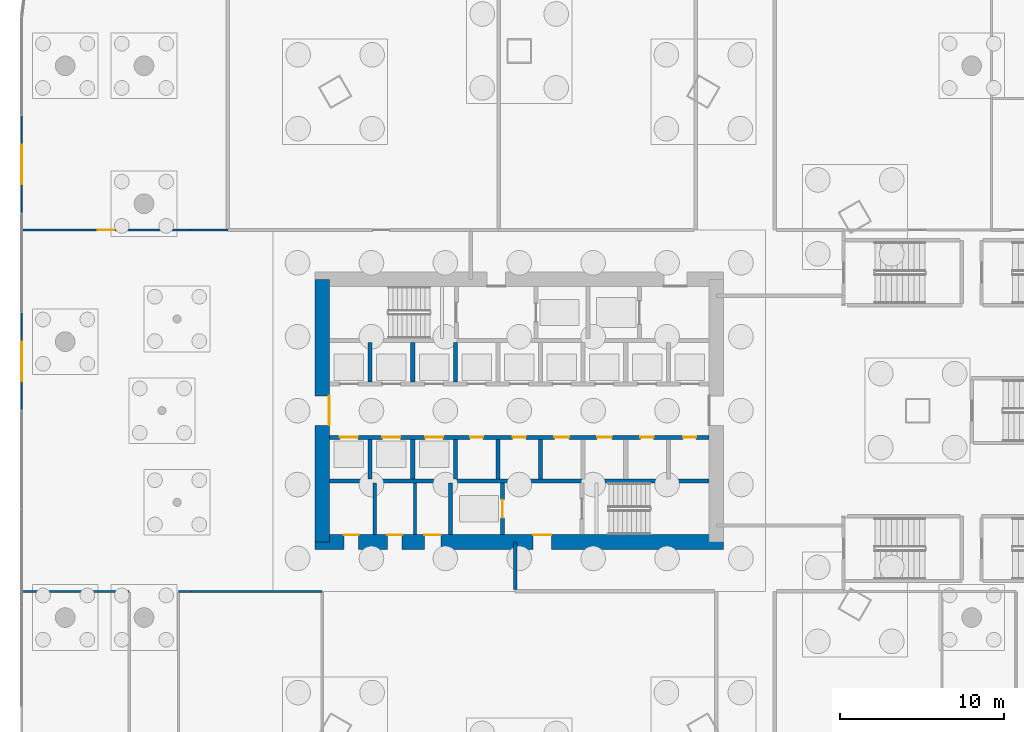
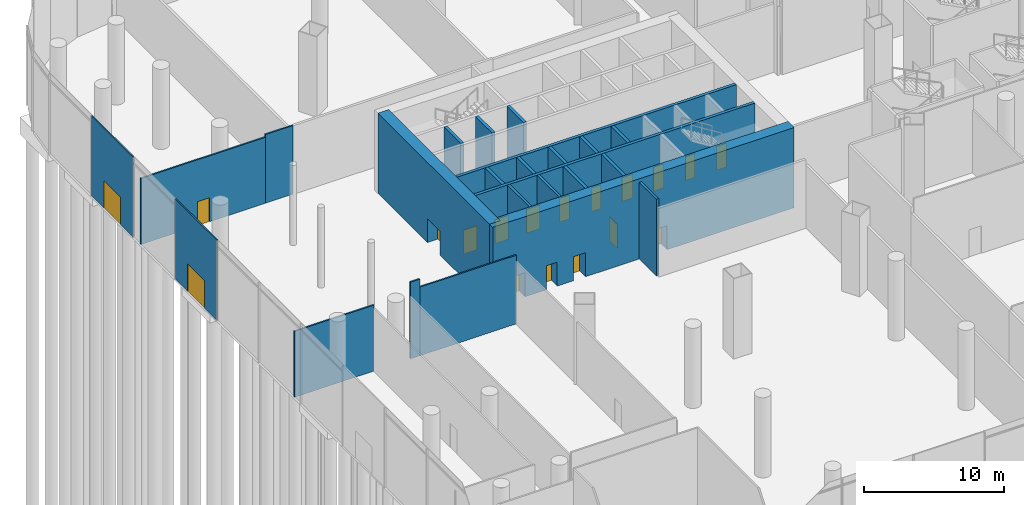
# One storey, part 25 of 41: 24 walls, 18 doors, 18 openings.
"""IFC4 building model written with IfcOpenShell, lengths in metres."""

import ifcopenshell
import ifcopenshell.guid

model = None  # the IFC model being written
_history = None  # IfcOwnerHistory: only IFC2X3 demands one
_inside = {}  # id of a spatial element -> (the spatial element, [elements in it])
_under = {}  # id of a project, library or spatial element -> (it, [spatial elements below it])
_declared = {}  # id of a project -> (the project, [libraries it declares])
_typed = {}  # id of a type object -> (the type object, [elements of that type])
_made_of = {}  # id of a material, layer set ... -> (it, [elements and type objects made of it])


def new_model(schema):
    """Start an empty IFC model of exactly this schema.

    Asked for "IFC4X3", IfcOpenShell would pick the latest addendum, in which some entities
    have other attributes; the version numbers below select the first issue.
    IFC2X3 requires an IfcOwnerHistory on every rooted entity: one is made here for all.
    """
    global model, _history
    if schema == "IFC4X3":
        model = ifcopenshell.file(schema_version=(4, 3, 0, 0))
    else:
        model = ifcopenshell.file(schema=schema)
    _inside.clear()
    _under.clear()
    _declared.clear()
    _typed.clear()
    _made_of.clear()
    _history = None
    if model.schema == "IFC2X3":
        org = make("IfcOrganization", Name="unknown")
        user = make(
            "IfcPersonAndOrganization",
            ThePerson=make("IfcPerson", FamilyName="unknown"),
            TheOrganization=org,
        )
        app = make(
            "IfcApplication",
            ApplicationDeveloper=org,
            Version="unknown",
            ApplicationFullName="unknown",
            ApplicationIdentifier="unknown",
        )
        _history = make(
            "IfcOwnerHistory",
            OwningUser=user,
            OwningApplication=app,
            ChangeAction="ADDED",
            CreationDate=0,
        )
    return model


def make(cls, **values):
    """One entity of the class cls with the attributes given. An attribute that is None is left unset."""
    return model.create_entity(
        cls, **{name: value for name, value in values.items() if value is not None}
    )


def rooted(cls, **values):
    """An entity with a GlobalId (a new one), such as an element, a storey or a relation."""
    return make(cls, GlobalId=ifcopenshell.guid.new(), OwnerHistory=_history, **values)


def si_unit(unit_type, name, prefix=None):
    """IfcSIUnit, for example si_unit("LENGTHUNIT", "METRE", prefix="MILLI")."""
    return make("IfcSIUnit", UnitType=unit_type, Prefix=prefix, Name=name)


def assignment(units):
    """IfcUnitAssignment: the units of a project."""
    return None if units is None else make("IfcUnitAssignment", Units=units)


def point(xyz):
    """IfcCartesianPoint."""
    return None if xyz is None else make("IfcCartesianPoint", Coordinates=xyz)


def direction(xyz):
    """IfcDirection."""
    return None if xyz is None else make("IfcDirection", DirectionRatios=xyz)


def frame(location, z_axis=None, x_axis=None):
    """IfcAxis2Placement3D, a coordinate frame: its origin and axes. An axis left out is left unset."""
    return make(
        "IfcAxis2Placement3D",
        Location=point(location),
        Axis=direction(z_axis),
        RefDirection=direction(x_axis),
    )


def frame_2d(location, x_axis=None):
    """IfcAxis2Placement2D, a coordinate frame in the plane: its origin and x axis."""
    return make(
        "IfcAxis2Placement2D", Location=point(location), RefDirection=direction(x_axis)
    )


def origin():
    """The frame at (0, 0, 0) with its axes left unset."""
    return frame((0.0, 0.0, 0.0))


def place(relative_to, where):
    """IfcLocalPlacement: puts the frame where relative to a parent placement (None: the world)."""
    return make(
        "IfcLocalPlacement", PlacementRelTo=relative_to, RelativePlacement=where
    )


def context(
    kind, dimensions, precision=None, world=None, true_north=None, identifier=None
):
    """IfcGeometricRepresentationContext, for example the 3D "Model" context."""
    return make(
        "IfcGeometricRepresentationContext",
        ContextIdentifier=identifier,
        ContextType=kind,
        CoordinateSpaceDimension=dimensions,
        Precision=precision,
        WorldCoordinateSystem=world,
        TrueNorth=true_north,
    )


def subcontext(parent, identifier, kind, view, scale=None):
    """IfcGeometricRepresentationSubContext, for example "Body" below "Model"."""
    return make(
        "IfcGeometricRepresentationSubContext",
        ContextIdentifier=identifier,
        ContextType=kind,
        ParentContext=parent,
        TargetScale=scale,
        TargetView=view,
    )


def project(units=None, contexts=None):
    """IfcProject with its units and contexts."""
    return rooted(
        "IfcProject",
        Name="project",
        RepresentationContexts=contexts,
        UnitsInContext=assignment(units),
    )


def spatial(cls, under=None, at=None, **own):
    """A site, building, storey or space (cls), placed at a placement, below another one or the project."""
    s = rooted(cls, ObjectPlacement=at, **own)
    if under is not None:
        _under.setdefault(under.id(), (under, []))[1].append(s)
    return s


def profile(cls, at=None, kind="AREA", **sizes):
    """A parametric profile (cls). Its sizes go by their IFC names, for example OverallWidth=200.0."""
    return make(cls, ProfileType=kind, Position=at, **sizes)


def rectangle(**sizes):
    """IfcRectangleProfileDef."""
    return profile("IfcRectangleProfileDef", **sizes)


def extrude(swept, where, along, depth):
    """IfcExtrudedAreaSolid: the profile swept, set in the frame where, extruded along a direction by depth."""
    return make(
        "IfcExtrudedAreaSolid",
        SweptArea=swept,
        Position=where,
        ExtrudedDirection=direction(along),
        Depth=depth,
    )


def shape(context_of_items, identifier, shape_type, items):
    """IfcShapeRepresentation: the items that make up one representation, for example the "Body"."""
    return make(
        "IfcShapeRepresentation",
        ContextOfItems=context_of_items,
        RepresentationIdentifier=identifier,
        RepresentationType=shape_type,
        Items=items,
    )


def material(Name=None, Category=None):
    """IfcMaterial."""
    return make("IfcMaterial", Name=Name, Category=Category)


def layer(
    of_material, thickness, ventilated=None, Name=None, Category=None, Priority=None
):
    """IfcMaterialLayer: one layer of a wall or slab, of a material (None: an air gap)."""
    return make(
        "IfcMaterialLayer",
        Material=of_material,
        LayerThickness=thickness,
        IsVentilated=ventilated,
        Name=Name,
        Category=Category,
        Priority=Priority,
    )


def layer_set(layers, Name=None):
    """IfcMaterialLayerSet."""
    return make("IfcMaterialLayerSet", MaterialLayers=layers, LayerSetName=Name)


def made_of(thing, what):
    """Note that an element or type object is made of a material, layer set ...; save() writes the relation."""
    if what is not None:
        _made_of.setdefault(what.id(), (what, []))[1].append(thing)
    return thing


def type_object(cls, material=None, **own):
    """A type object (cls), such as IfcWallType, which elements share."""
    return made_of(rooted(cls, **own), material)


def element(
    cls,
    number,
    at=None,
    inside=None,
    cuts=None,
    type_object=None,
    material=None,
    context=None,
    identifier="Body",
    shape_type=None,
    held_by="IfcProductDefinitionShape",
    body=None,
    shapes=None,
    **own,
):
    """One element of the class cls, such as IfcWall. Its Tag is "e" and its number.

    at: its placement. inside: the storey or other place that contains it. cuts: it is an
    opening in that element (IfcRelVoidsElement). A single representation is given by context,
    identifier, shape_type and body (its items); several are given by shapes. held_by: the class
    of the entity that holds the representations. save() writes the other relations.
    """
    e = rooted(cls, Tag="e%d" % number, ObjectPlacement=at, **own)
    if body is not None:
        shapes = [shape(context, identifier, shape_type, body)]
    if shapes is not None:
        e.Representation = make(held_by, Representations=shapes)
    if inside is not None:
        _inside.setdefault(inside.id(), (inside, []))[1].append(e)
    if cuts is not None:
        rooted(
            "IfcRelVoidsElement", RelatingBuildingElement=cuts, RelatedOpeningElement=e
        )
    if type_object is not None:
        _typed.setdefault(type_object.id(), (type_object, []))[1].append(e)
    return made_of(e, material)


def fill(opening, filler):
    """IfcRelFillsElement: the door or window that sits in an opening."""
    return rooted(
        "IfcRelFillsElement",
        RelatingOpeningElement=opening,
        RelatedBuildingElement=filler,
    )


def aggregate(whole, parts):
    """IfcRelAggregates: a whole, such as a stair, and the parts it consists of."""
    return rooted("IfcRelAggregates", RelatingObject=whole, RelatedObjects=parts)


def save(model, path):
    """Write the relations noted so far, then the file.

    IfcRelAggregates (storeys below a building ...), IfcRelContainedInSpatialStructure (elements
    in a storey), IfcRelDefinesByType, IfcRelAssociatesMaterial and IfcRelDeclares: one each for
    every whole, place, type object, material and project.
    """
    for whole, parts in _under.values():
        aggregate(whole, parts)
    for where, things in _inside.values():
        rooted(
            "IfcRelContainedInSpatialStructure",
            RelatedElements=things,
            RelatingStructure=where,
        )
    for kind, things in _typed.values():
        rooted("IfcRelDefinesByType", RelatedObjects=things, RelatingType=kind)
    for what, things in _made_of.values():
        rooted("IfcRelAssociatesMaterial", RelatedObjects=things, RelatingMaterial=what)
    for by, libraries in _declared.values():
        rooted("IfcRelDeclares", RelatingContext=by, RelatedDefinitions=libraries)
    model.write(path)


model = new_model("IFC4")

# Units and contexts
model_context = context("Model", 3, precision=1e-05, world=origin(), true_north=direction((0.0, 1.0)))
body_context = subcontext(model_context, "Body", "Model", "MODEL_VIEW")
ifc_project = project(units=[si_unit("LENGTHUNIT", "METRE"), si_unit("AREAUNIT", "SQUARE_METRE"), si_unit("VOLUMEUNIT", "CUBIC_METRE"), si_unit("PLANEANGLEUNIT", "RADIAN"), si_unit("MASSUNIT", "GRAM", prefix="KILO")], contexts=[model_context])

# Site, building, storey
site_placement = place(None, origin())
site = spatial("IfcSite", under=ifc_project, at=site_placement, CompositionType="ELEMENT")
building_placement = place(site_placement, origin())
building = spatial("IfcBuilding", under=site, at=building_placement, Name="Rimbun Link Towers", CompositionType="ELEMENT")
storey_placement = place(building_placement, origin())
storey = spatial("IfcBuildingStorey", under=building, at=storey_placement, Name="L00", CompositionType="ELEMENT", Elevation=0.0)

# Walls
ifc_material_1 = material(Name="Masonry blockwork", Category="masonry")
ifc_layer_1 = layer(ifc_material_1, 0.199951171875)
ifc_layer_set_1 = layer_set([ifc_layer_1], Name="Core partition 200")
wall_type_1 = type_object("IfcWallType", Name="Core partition 200", PredefinedType="PARTITIONING", material=ifc_layer_set_1)
for number, where, z_axis, x_axis, name in (
    (1, (-40.550048828125, -4.39990234375, 0.0), (0.0, 0.0, 1.0), (0.0, -1.0, 0.0), "L00 T1 core wall C1"),
    (2, (-38.10009765625, -4.39990234375, 0.0), (0.0, 0.0, 1.0), (0.0, -1.0, 0.0), "L00 T1 core wall C2"),
):
    element("IfcWall", number, at=place(storey_placement, frame(where, z_axis=z_axis, x_axis=x_axis)), inside=storey, type_object=wall_type_1, Name=name, PredefinedType="PARTITIONING", context=body_context, shape_type="SweptSolid", body=[
        extrude(rectangle(XDim=3.150146484375, YDim=0.199951171875, at=frame_2d((1.5751953125, 0.0))), origin(), (0.0, 0.0, 1.0), 7.0),
    ])

# Wall, openings, doors
ifc_material_2 = material(Name="Concrete C60/75", Category="concrete")
ifc_layer_2 = layer(ifc_material_2, 0.89990234375)
ifc_layer_set_2 = layer_set([ifc_layer_2], Name="Core shear wall 900")
wall_type_2 = type_object("IfcWallType", Name="Core shear wall 900", PredefinedType="SHEAR", material=ifc_layer_set_2)
wall_1_placement = place(storey_placement, frame((-44.199951171875, -8.0, 0.0), z_axis=(0.0, 0.0, 1.0), x_axis=(1.0, 0.0, 0.0)))
wall_1 = element("IfcWall", 3, at=wall_1_placement, inside=storey, type_object=wall_type_2, Name="L00 T1 core wall S", PredefinedType="SHEAR", context=body_context, shape_type="SweptSolid", body=[
    extrude(rectangle(XDim=24.89990234375, YDim=0.89990234375, at=frame_2d((12.449951171875, 0.0))), origin(), (0.0, 0.0, 1.0), 7.0),
])
opening_1_placement = place(wall_1_placement, frame((13.300048828125, 0.0, 0.0)))
opening_1 = element("IfcOpeningElement", 4, at=opening_1_placement, cuts=wall_1, Name="Opening C1DCF01S", PredefinedType="OPENING", context=body_context, shape_type="SweptSolid", body=[
    extrude(rectangle(XDim=1.10009765625, YDim=2.10009765625, at=frame_2d((0.550048828125, 1.050048828125))), frame((0.0, 0.4599609375, 0.0), z_axis=(0.0, -1.0, 0.0), x_axis=(1.0, 0.0, 0.0)), (0.0, 0.0, 1.0), 0.919921875),
])
opening_2_placement = place(wall_1_placement, frame((1.77490234375, 0.0, 0.0)))
opening_2 = element("IfcOpeningElement", 5, at=opening_2_placement, cuts=wall_1, Name="Opening C1DWC02S", PredefinedType="OPENING", context=body_context, shape_type="SweptSolid", body=[
    extrude(rectangle(XDim=0.89990234375, YDim=2.10009765625, at=frame_2d((0.449951171875, 1.050048828125))), frame((0.0, 0.4599609375, 0.0), z_axis=(0.0, -1.0, 0.0), x_axis=(1.0, 0.0, 0.0)), (0.0, 0.0, 1.0), 0.919921875),
])
opening_3_placement = place(wall_1_placement, frame((4.425048828125, 0.0, 0.0)))
opening_3 = element("IfcOpeningElement", 6, at=opening_3_placement, cuts=wall_1, Name="Opening C1DWC03S", PredefinedType="OPENING", context=body_context, shape_type="SweptSolid", body=[
    extrude(rectangle(XDim=0.89990234375, YDim=2.10009765625, at=frame_2d((0.449951171875, 1.050048828125))), frame((0.0, 0.4599609375, 0.0), z_axis=(0.0, -1.0, 0.0), x_axis=(1.0, 0.0, 0.0)), (0.0, 0.0, 1.0), 0.919921875),
])
opening_4_placement = place(wall_1_placement, frame((6.675048828125, 0.0, 0.0)))
opening_4 = element("IfcOpeningElement", 7, at=opening_4_placement, cuts=wall_1, Name="Opening C1DAW04S", PredefinedType="OPENING", context=body_context, shape_type="SweptSolid", body=[
    extrude(rectangle(XDim=1.0, YDim=2.10009765625, at=frame_2d((0.5, 1.050048828125))), frame((0.0, 0.4599609375, 0.0), z_axis=(0.0, -1.0, 0.0), x_axis=(1.0, 0.0, 0.0)), (0.0, 0.0, 1.0), 0.919921875),
])
ifc_material_3 = material(Name="Timber", Category="wood")
door_type_1 = type_object("IfcDoorType", Name="Accessible WC door", OperationType="SINGLE_SWING_LEFT", PredefinedType="DOOR", material=ifc_material_3)
door_1_placement = place(opening_4_placement, origin())
door_1 = element("IfcDoor", 8, at=door_1_placement, inside=storey, type_object=door_type_1, Name="L00 T1 accessible wc door", OperationType="SINGLE_SWING_RIGHT", OverallHeight=2.10009765625, OverallWidth=1.0, PredefinedType="DOOR", context=body_context, shape_type="SweptSolid", body=[
    extrude(rectangle(XDim=1.0, YDim=2.10009765625, at=frame_2d((0.5, 1.050048828125))), frame((0.0, 0.4501953125, 0.0), z_axis=(0.0, -1.0, 0.0), x_axis=(1.0, 0.0, 0.0)), (0.0, 0.0, 1.0), 0.050048828125),
])
fill(opening_4, door_1)
ifc_material_4 = material(Name="Steel fire door set", Category="steel")
door_type_2 = type_object("IfcDoorType", Name="Core fire door single", OperationType="SINGLE_SWING_LEFT", PredefinedType="DOOR", material=ifc_material_4)
door_2_placement = place(opening_1_placement, origin())
door_2 = element("IfcDoor", 9, at=door_2_placement, inside=storey, type_object=door_type_2, Name="L00 T1 firefighting lobby s door", OperationType="SINGLE_SWING_RIGHT", OverallHeight=2.10009765625, OverallWidth=1.10009765625, PredefinedType="DOOR", context=body_context, shape_type="SweptSolid", body=[
    extrude(rectangle(XDim=1.10009765625, YDim=2.10009765625, at=frame_2d((0.550048828125, 1.050048828125))), frame((0.0, 0.4501953125, 0.0), z_axis=(0.0, -1.0, 0.0), x_axis=(1.0, 0.0, 0.0)), (0.0, 0.0, 1.0), 0.050048828125),
])
fill(opening_1, door_2)
ifc_material_5 = material(Name="Timber", Category="wood")
door_type_3 = type_object("IfcDoorType", Name="WC door", OperationType="SINGLE_SWING_LEFT", PredefinedType="DOOR", material=ifc_material_5)
door_3_placement = place(opening_2_placement, origin())
door_3 = element("IfcDoor", 10, at=door_3_placement, inside=storey, type_object=door_type_3, Name="L00 T1 male wc door", OperationType="SINGLE_SWING_RIGHT", OverallHeight=2.10009765625, OverallWidth=0.89990234375, PredefinedType="DOOR", context=body_context, shape_type="SweptSolid", body=[
    extrude(rectangle(XDim=0.89990234375, YDim=2.10009765625, at=frame_2d((0.449951171875, 1.050048828125))), frame((0.0, 0.4501953125, 0.0), z_axis=(0.0, -1.0, 0.0), x_axis=(1.0, 0.0, 0.0)), (0.0, 0.0, 1.0), 0.050048828125),
])
fill(opening_2, door_3)
door_4_placement = place(opening_3_placement, origin())
door_4 = element("IfcDoor", 11, at=door_4_placement, inside=storey, type_object=door_type_3, Name="L00 T1 female wc door", OperationType="SINGLE_SWING_LEFT", OverallHeight=2.10009765625, OverallWidth=0.89990234375, PredefinedType="DOOR", context=body_context, shape_type="SweptSolid", body=[
    extrude(rectangle(XDim=0.89990234375, YDim=2.10009765625, at=frame_2d((0.449951171875, 1.050048828125))), frame((0.0, 0.4501953125, 0.0), z_axis=(0.0, -1.0, 0.0), x_axis=(1.0, 0.0, 0.0)), (0.0, 0.0, 1.0), 0.050048828125),
])
fill(opening_3, door_4)

# Wall, opening, door
wall_2_placement = place(storey_placement, frame((-43.75, -8.0, 0.0), z_axis=(0.0, 0.0, 1.0), x_axis=(0.0, 1.0, 0.0)))
wall_2 = element("IfcWall", 12, at=wall_2_placement, inside=storey, type_object=wall_type_2, Name="L00 T1 core wall W", PredefinedType="SHEAR", context=body_context, shape_type="SweptSolid", body=[
    extrude(rectangle(XDim=16.0, YDim=0.89990234375, at=frame_2d((8.0, 0.0))), origin(), (0.0, 0.0, 1.0), 7.0),
])
opening_5_placement = place(wall_2_placement, frame((7.10009765625, 0.0, 0.0)))
opening_5 = element("IfcOpeningElement", 13, at=opening_5_placement, cuts=wall_2, Name="Opening C1DCL01W", PredefinedType="OPENING", context=body_context, shape_type="SweptSolid", body=[
    extrude(rectangle(XDim=1.800048828125, YDim=2.10009765625, at=frame_2d((0.89990234375, 1.050048828125))), frame((0.0, 0.4599609375, 0.0), z_axis=(0.0, -1.0, 0.0), x_axis=(1.0, 0.0, 0.0)), (0.0, 0.0, 1.0), 0.919921875),
])
ifc_material_6 = material(Name="Steel fire door set", Category="steel")
door_type_4 = type_object("IfcDoorType", Name="Core lobby door double", OperationType="DOUBLE_DOOR_SINGLE_SWING", PredefinedType="DOOR", material=ifc_material_6)
door_5_placement = place(opening_5_placement, origin())
door_5 = element("IfcDoor", 14, at=door_5_placement, inside=storey, type_object=door_type_4, Name="L00 T1 lift lobby door", OperationType="DOUBLE_DOOR_SINGLE_SWING", OverallHeight=2.10009765625, OverallWidth=1.800048828125, PredefinedType="DOOR", context=body_context, shape_type="SweptSolid", body=[
    extrude(rectangle(XDim=1.800048828125, YDim=2.10009765625, at=frame_2d((0.89990234375, 1.050048828125))), frame((0.0, -0.39990234375, 0.0), z_axis=(0.0, -1.0, 0.0), x_axis=(1.0, 0.0, 0.0)), (0.0, 0.0, 1.0), 0.050048828125),
])
fill(opening_5, door_5)

ifc_material_7 = material(Name="Aluminium framed insulated infill panel", Category="aluminium")
ifc_layer_3 = layer(ifc_material_7, 0.10009765625)
ifc_layer_set_3 = layer_set([ifc_layer_3], Name="ED framed infill wall 100")
wall_type_3 = type_object("IfcWallType", Name="ED framed infill wall 100", PredefinedType="STANDARD", material=ifc_layer_set_3)
wall_3_placement = place(storey_placement, frame((-62.050048828125, 12.02001953125, 0.0), z_axis=(0.0, 0.0, 1.0), x_axis=(0.0, 1.0, 0.0)))
wall_3 = element("IfcWall", 15, at=wall_3_placement, inside=storey, type_object=wall_type_3, Name="Framed door bay wall", PredefinedType="STANDARD", context=body_context, shape_type="SweptSolid", body=[
    extrude(rectangle(XDim=5.9599609375, YDim=0.10009765625, at=frame_2d((2.97998046875, 0.0))), origin(), (0.0, 0.0, 1.0), 7.0),
])
opening_6_placement = place(wall_3_placement, frame((1.780029296875, 0.0, 0.0)))
opening_6 = element("IfcOpeningElement", 16, at=opening_6_placement, cuts=wall_3, Name="Opening ED12", PredefinedType="OPENING", context=body_context, shape_type="SweptSolid", body=[
    extrude(rectangle(XDim=2.39990234375, YDim=2.39990234375, at=frame_2d((1.199951171875, 1.199951171875))), frame((0.0, 0.06005859375, 0.0), z_axis=(0.0, -1.0, 0.0), x_axis=(1.0, 0.0, 0.0)), (0.0, 0.0, 1.0), 0.1201171875),
])
ifc_material_8 = material(Name="Aluminium framed glazed door, low-iron glass", Category="aluminium")
door_type_5 = type_object("IfcDoorType", Name="ED entrance door double leaf 2400X2400", OperationType="DOUBLE_DOOR_SINGLE_SWING", PredefinedType="DOOR", material=ifc_material_8)
door_6_placement = place(opening_6_placement, origin())
door_6 = element("IfcDoor", 17, at=door_6_placement, inside=storey, type_object=door_type_5, Name="Entrance door", OperationType="SINGLE_SWING_LEFT", OverallHeight=2.39990234375, OverallWidth=2.39990234375, PredefinedType="DOOR", context=body_context, shape_type="SweptSolid", body=[
    extrude(rectangle(XDim=2.39990234375, YDim=2.39990234375, at=frame_2d((1.199951171875, 1.199951171875))), frame((0.0, 0.02490234375, 0.0), z_axis=(0.0, -1.0, 0.0), x_axis=(1.0, 0.0, 0.0)), (0.0, 0.0, 1.0), 0.050048828125),
])
fill(opening_6, door_6)

wall_4_placement = place(storey_placement, frame((-62.050048828125, 0.02001953125, 0.0), z_axis=(0.0, 0.0, 1.0), x_axis=(0.0, 1.0, 0.0)))
wall_4 = element("IfcWall", 18, at=wall_4_placement, inside=storey, type_object=wall_type_3, Name="Framed door bay wall", PredefinedType="STANDARD", context=body_context, shape_type="SweptSolid", body=[
    extrude(rectangle(XDim=5.9599609375, YDim=0.10009765625, at=frame_2d((2.97998046875, 0.0))), origin(), (0.0, 0.0, 1.0), 7.0),
])
opening_7_placement = place(wall_4_placement, frame((1.780029296875, 0.0, 0.0)))
opening_7 = element("IfcOpeningElement", 19, at=opening_7_placement, cuts=wall_4, Name="Opening ED13", PredefinedType="OPENING", context=body_context, shape_type="SweptSolid", body=[
    extrude(rectangle(XDim=2.39990234375, YDim=2.39990234375, at=frame_2d((1.199951171875, 1.199951171875))), frame((0.0, 0.06005859375, 0.0), z_axis=(0.0, -1.0, 0.0), x_axis=(1.0, 0.0, 0.0)), (0.0, 0.0, 1.0), 0.1201171875),
])
door_7_placement = place(opening_7_placement, origin())
door_7 = element("IfcDoor", 20, at=door_7_placement, inside=storey, type_object=door_type_5, Name="Entrance door", OperationType="SINGLE_SWING_LEFT", OverallHeight=2.39990234375, OverallWidth=2.39990234375, PredefinedType="DOOR", context=body_context, shape_type="SweptSolid", body=[
    extrude(rectangle(XDim=2.39990234375, YDim=2.39990234375, at=frame_2d((1.199951171875, 1.199951171875))), frame((0.0, 0.02490234375, 0.0), z_axis=(0.0, -1.0, 0.0), x_axis=(1.0, 0.0, 0.0)), (0.0, 0.0, 1.0), 0.050048828125),
])
fill(opening_7, door_7)

# Walls
ifc_material_9 = material(Name="Concrete blockwork", Category="masonry")
ifc_layer_4 = layer(ifc_material_9, 0.199951171875)
ifc_layer_set_4 = layer_set([ifc_layer_4], Name="Fire partition 200 blockwork")
wall_type_4 = type_object("IfcWallType", Name="Fire partition 200 blockwork", PredefinedType="PARTITIONING", material=ifc_layer_set_4)
wall_5_placement = place(storey_placement, frame((-32.0, -8.0, 0.0), z_axis=(0.0, 0.0, 1.0), x_axis=(0.0, -1.0, 0.0)))
element("IfcWall", 21, at=wall_5_placement, inside=storey, type_object=wall_type_4, Name="PD/PW/L00/027", PredefinedType="PARTITIONING", context=body_context, shape_type="SweptSolid", body=[
    extrude(rectangle(XDim=2.89990234375, YDim=0.199951171875, at=frame_2d((1.449951171875, 0.0))), origin(), (0.0, 0.0, 1.0), 6.699951171875),
])
ifc_material_10 = material(Name="Gypsum board on steel studs", Category="steel")
ifc_layer_5 = layer(ifc_material_10, 0.125)
ifc_layer_set_5 = layer_set([ifc_layer_5], Name="Partition 125 board on studs")
wall_type_5 = type_object("IfcWallType", Name="Partition 125 board on studs", PredefinedType="PARTITIONING", material=ifc_layer_set_5)
wall_6_placement = place(storey_placement, frame((-51.77001953125, -11.0, 0.0), z_axis=(0.0, 0.0, 1.0), x_axis=(1.0, 0.0, 0.0)))
element("IfcWall", 22, at=wall_6_placement, inside=storey, type_object=wall_type_5, Name="PD/PW/L00/057", PredefinedType="PARTITIONING", context=body_context, shape_type="SweptSolid", body=[
    extrude(rectangle(XDim=8.02001953125, YDim=0.125, at=frame_2d((4.010009765625, 0.0))), origin(), (0.0, 0.0, 1.0), 5.99609375),
])
wall_7_placement = place(storey_placement, frame((-49.5, 11.0, 0.0), z_axis=(0.0, 0.0, 1.0), x_axis=(-1.0, 0.0, 0.0)))
element("IfcWall", 23, at=wall_7_placement, inside=storey, type_object=wall_type_5, Name="PD/PW/L00/058", PredefinedType="PARTITIONING", context=body_context, shape_type="SweptSolid", body=[
    extrude(rectangle(XDim=2.27001953125, YDim=0.125, at=frame_2d((1.135009765625, 0.0))), origin(), (0.0, 0.0, 1.0), 5.99609375),
])
wall_8_placement = place(storey_placement, frame((-62.080078125, -11.0, 0.0), z_axis=(0.0, 0.0, 1.0), x_axis=(1.0, 0.0, 0.0)))
element("IfcWall", 24, at=wall_8_placement, inside=storey, type_object=wall_type_5, Name="PD/PW/L00/083", PredefinedType="PARTITIONING", context=body_context, shape_type="SweptSolid", body=[
    extrude(rectangle(XDim=6.580078125, YDim=0.125, at=frame_2d((3.2900390625, 0.0))), origin(), (0.0, 0.0, 1.0), 5.761962890625),
])
wall_9_placement = place(storey_placement, frame((-52.5, -11.0, 0.0), z_axis=(0.0, 0.0, 1.0), x_axis=(1.0, 0.0, 0.0)))
element("IfcWall", 25, at=wall_9_placement, inside=storey, type_object=wall_type_5, Name="PD/PW/L00/084", PredefinedType="PARTITIONING", context=body_context, shape_type="SweptSolid", body=[
    extrude(rectangle(XDim=0.77001953125, YDim=0.125, at=frame_2d((0.385009765625, 0.0))), origin(), (0.0, 0.0, 1.0), 6.699951171875),
])

# Wall, opening, door
wall_10_placement = place(storey_placement, frame((-51.72998046875, 11.0, 0.0), z_axis=(0.0, 0.0, 1.0), x_axis=(-1.0, 0.0, 0.0)))
wall_10 = element("IfcWall", 26, at=wall_10_placement, inside=storey, type_object=wall_type_5, Name="PD/PW/L00/085", PredefinedType="PARTITIONING", context=body_context, shape_type="SweptSolid", body=[
    extrude(rectangle(XDim=10.35009765625, YDim=0.125, at=frame_2d((5.175048828125, 0.0))), origin(), (0.0, 0.0, 1.0), 5.761962890625),
])
opening_8_placement = place(wall_10_placement, frame((4.675048828125, 0.0, 0.0)))
opening_8 = element("IfcOpeningElement", 27, at=opening_8_placement, cuts=wall_10, Name="Opening PD D00.19", PredefinedType="OPENING", context=body_context, shape_type="SweptSolid", body=[
    extrude(rectangle(XDim=1.0, YDim=2.10009765625, at=frame_2d((0.5, 1.050048828125))), frame((0.0, 0.072509765625, 0.0), z_axis=(0.0, -1.0, 0.0), x_axis=(1.0, 0.0, 0.0)), (0.0, 0.0, 1.0), 0.14501953125),
])
ifc_material_11 = material(Name="Timber door set", Category="wood")
door_type_6 = type_object("IfcDoorType", Name="Door single leaf 1000 x 2100", OperationType="NOTDEFINED", PredefinedType="DOOR", material=ifc_material_11)
door_8_placement = place(opening_8_placement, origin())
door_8 = element("IfcDoor", 28, at=door_8_placement, inside=storey, type_object=door_type_6, Name="PD/DR/L00/019", OperationType="SINGLE_SWING_RIGHT", OverallHeight=2.10009765625, OverallWidth=1.0, PredefinedType="DOOR", context=body_context, shape_type="SweptSolid", body=[
    extrude(rectangle(XDim=1.0, YDim=2.10009765625, at=frame_2d((0.5, 1.050048828125))), frame((0.0, 0.02490234375, 0.0), z_axis=(0.0, -1.0, 0.0), x_axis=(1.0, 0.0, 0.0)), (0.0, 0.0, 1.0), 0.050048828125),
])
fill(opening_8, door_8)

# Wall
ifc_material_12 = material(Name="Concrete C60/75", Category="concrete")
ifc_layer_6 = layer(ifc_material_12, 0.25)
ifc_layer_set_6 = layer_set([ifc_layer_6], Name="Shaft wall 250")
wall_type_6 = type_object("IfcWallType", Name="Shaft wall 250", PredefinedType="SHEAR", material=ifc_layer_set_6)
wall_11_placement = place(storey_placement, frame((-43.300048828125, -4.27490234375, 0.0), z_axis=(0.0, 0.0, 1.0), x_axis=(1.0, 0.0, 0.0)))
element("IfcWall", 29, at=wall_11_placement, inside=storey, type_object=wall_type_6, Name="L00 T1 core wall BS", PredefinedType="SHEAR", context=body_context, shape_type="SweptSolid", body=[
    extrude(rectangle(XDim=23.10009765625, YDim=0.25, at=frame_2d((11.550048828125, 0.0))), origin(), (0.0, 0.0, 1.0), 7.0),
])

# Wall, openings, doors
wall_12_placement = place(storey_placement, frame((-43.300048828125, -1.625, 0.0), z_axis=(0.0, 0.0, 1.0), x_axis=(1.0, 0.0, 0.0)))
wall_12 = element("IfcWall", 30, at=wall_12_placement, inside=storey, type_object=wall_type_6, Name="L00 T1 core wall FS", PredefinedType="SHEAR", context=body_context, shape_type="SweptSolid", body=[
    extrude(rectangle(XDim=23.10009765625, YDim=0.25, at=frame_2d((11.550048828125, 0.0))), origin(), (0.0, 0.0, 1.0), 7.0),
])
opening_9_placement = place(wall_12_placement, frame((0.622314453125, 0.0, 0.0)))
opening_9 = element("IfcOpeningElement", 31, at=opening_9_placement, cuts=wall_12, Name="Opening LD-T1-SH4", PredefinedType="OPENING", context=body_context, shape_type="SweptSolid", body=[
    extrude(rectangle(XDim=1.10009765625, YDim=2.10009765625, at=frame_2d((0.550048828125, 1.050048828125))), frame((0.0, 0.135009765625, 0.0), z_axis=(0.0, -1.0, 0.0), x_axis=(1.0, 0.0, 0.0)), (0.0, 0.0, 1.0), 0.27001953125),
])
opening_10_placement = place(wall_12_placement, frame((3.216796875, 0.0, 0.0)))
opening_10 = element("IfcOpeningElement", 32, at=opening_10_placement, cuts=wall_12, Name="Opening LD-T1-OB1", PredefinedType="OPENING", context=body_context, shape_type="SweptSolid", body=[
    extrude(rectangle(XDim=1.10009765625, YDim=2.10009765625, at=frame_2d((0.550048828125, 1.050048828125))), frame((0.0, 0.135009765625, 0.0), z_axis=(0.0, -1.0, 0.0), x_axis=(1.0, 0.0, 0.0)), (0.0, 0.0, 1.0), 0.27001953125),
])
opening_11_placement = place(wall_12_placement, frame((5.81103515625, 0.0, 0.0)))
opening_11 = element("IfcOpeningElement", 33, at=opening_11_placement, cuts=wall_12, Name="Opening LD-T1-OB2", PredefinedType="OPENING", context=body_context, shape_type="SweptSolid", body=[
    extrude(rectangle(XDim=1.10009765625, YDim=2.10009765625, at=frame_2d((0.550048828125, 1.050048828125))), frame((0.0, 0.135009765625, 0.0), z_axis=(0.0, -1.0, 0.0), x_axis=(1.0, 0.0, 0.0)), (0.0, 0.0, 1.0), 0.27001953125),
])
opening_12_placement = place(wall_12_placement, frame((8.5556640625, 0.0, 0.0)))
opening_12 = element("IfcOpeningElement", 34, at=opening_12_placement, cuts=wall_12, Name="Opening C1DRA04FS", PredefinedType="OPENING", context=body_context, shape_type="SweptSolid", body=[
    extrude(rectangle(XDim=0.800048828125, YDim=2.10009765625, at=frame_2d((0.39990234375, 1.050048828125))), frame((0.0, 0.135009765625, 0.0), z_axis=(0.0, -1.0, 0.0), x_axis=(1.0, 0.0, 0.0)), (0.0, 0.0, 1.0), 0.27001953125),
])
opening_13_placement = place(wall_12_placement, frame((11.14990234375, 0.0, 0.0)))
opening_13 = element("IfcOpeningElement", 35, at=opening_13_placement, cuts=wall_12, Name="Opening C1DRA05FS", PredefinedType="OPENING", context=body_context, shape_type="SweptSolid", body=[
    extrude(rectangle(XDim=0.800048828125, YDim=2.10009765625, at=frame_2d((0.39990234375, 1.050048828125))), frame((0.0, 0.135009765625, 0.0), z_axis=(0.0, -1.0, 0.0), x_axis=(1.0, 0.0, 0.0)), (0.0, 0.0, 1.0), 0.27001953125),
])
opening_14_placement = place(wall_12_placement, frame((13.6943359375, 0.0, 0.0)))
opening_14 = element("IfcOpeningElement", 36, at=opening_14_placement, cuts=wall_12, Name="Opening C1DRS06FS", PredefinedType="OPENING", context=body_context, shape_type="SweptSolid", body=[
    extrude(rectangle(XDim=0.89990234375, YDim=2.10009765625, at=frame_2d((0.449951171875, 1.050048828125))), frame((0.0, 0.135009765625, 0.0), z_axis=(0.0, -1.0, 0.0), x_axis=(1.0, 0.0, 0.0)), (0.0, 0.0, 1.0), 0.27001953125),
])
opening_15_placement = place(wall_12_placement, frame((16.288818359375, 0.0, 0.0)))
opening_15 = element("IfcOpeningElement", 37, at=opening_15_placement, cuts=wall_12, Name="Opening C1DRS07FS", PredefinedType="OPENING", context=body_context, shape_type="SweptSolid", body=[
    extrude(rectangle(XDim=0.89990234375, YDim=2.10009765625, at=frame_2d((0.449951171875, 1.050048828125))), frame((0.0, 0.135009765625, 0.0), z_axis=(0.0, -1.0, 0.0), x_axis=(1.0, 0.0, 0.0)), (0.0, 0.0, 1.0), 0.27001953125),
])
opening_16_placement = place(wall_12_placement, frame((18.933349609375, 0.0, 0.0)))
opening_16 = element("IfcOpeningElement", 38, at=opening_16_placement, cuts=wall_12, Name="Opening C1DRA08FS", PredefinedType="OPENING", context=body_context, shape_type="SweptSolid", body=[
    extrude(rectangle(XDim=0.800048828125, YDim=2.10009765625, at=frame_2d((0.39990234375, 1.050048828125))), frame((0.0, 0.135009765625, 0.0), z_axis=(0.0, -1.0, 0.0), x_axis=(1.0, 0.0, 0.0)), (0.0, 0.0, 1.0), 0.27001953125),
])
opening_17_placement = place(wall_12_placement, frame((21.52783203125, 0.0, 0.0)))
opening_17 = element("IfcOpeningElement", 39, at=opening_17_placement, cuts=wall_12, Name="Opening C1DRA09FS", PredefinedType="OPENING", context=body_context, shape_type="SweptSolid", body=[
    extrude(rectangle(XDim=0.800048828125, YDim=2.10009765625, at=frame_2d((0.39990234375, 1.050048828125))), frame((0.0, 0.135009765625, 0.0), z_axis=(0.0, -1.0, 0.0), x_axis=(1.0, 0.0, 0.0)), (0.0, 0.0, 1.0), 0.27001953125),
])
ifc_material_13 = material(Name="Steel fire door set", Category="steel")
door_type_7 = type_object("IfcDoorType", Name="Core riser door", OperationType="SINGLE_SWING_LEFT", PredefinedType="DOOR", material=ifc_material_13)
door_9_placement = place(opening_14_placement, origin())
door_9 = element("IfcDoor", 40, at=door_9_placement, inside=storey, type_object=door_type_7, Name="L00 T1 staff store door", OperationType="SINGLE_SWING_LEFT", OverallHeight=2.10009765625, OverallWidth=0.89990234375, PredefinedType="DOOR", context=body_context, shape_type="SweptSolid", body=[
    extrude(rectangle(XDim=0.89990234375, YDim=2.10009765625, at=frame_2d((0.449951171875, 1.050048828125))), frame((0.0, 0.02490234375, 0.0), z_axis=(0.0, -1.0, 0.0), x_axis=(1.0, 0.0, 0.0)), (0.0, 0.0, 1.0), 0.050048828125),
])
fill(opening_14, door_9)
door_10_placement = place(opening_15_placement, origin())
door_10 = element("IfcDoor", 41, at=door_10_placement, inside=storey, type_object=door_type_7, Name="L00 T1 it cupboard door", OperationType="SINGLE_SWING_LEFT", OverallHeight=2.10009765625, OverallWidth=0.89990234375, PredefinedType="DOOR", context=body_context, shape_type="SweptSolid", body=[
    extrude(rectangle(XDim=0.89990234375, YDim=2.10009765625, at=frame_2d((0.449951171875, 1.050048828125))), frame((0.0, 0.02490234375, 0.0), z_axis=(0.0, -1.0, 0.0), x_axis=(1.0, 0.0, 0.0)), (0.0, 0.0, 1.0), 0.050048828125),
])
fill(opening_15, door_10)
ifc_material_14 = material(Name="Stainless steel grade 316", Category="steel")
door_type_8 = type_object("IfcDoorType", Name="Lift landing door", OperationType="DOUBLE_DOOR_SLIDING", PredefinedType="DOOR", material=ifc_material_14)
door_11_placement = place(opening_9_placement, origin())
door_11 = element("IfcDoor", 42, at=door_11_placement, inside=storey, type_object=door_type_8, Name="L00 T1 lift SH4 landing door", OperationType="DOUBLE_DOOR_SLIDING", OverallHeight=2.10009765625, OverallWidth=1.10009765625, PredefinedType="DOOR", context=body_context, shape_type="SweptSolid", body=[
    extrude(rectangle(XDim=1.10009765625, YDim=2.10009765625, at=frame_2d((0.550048828125, 1.050048828125))), frame((0.0, 0.02490234375, 0.0), z_axis=(0.0, -1.0, 0.0), x_axis=(1.0, 0.0, 0.0)), (0.0, 0.0, 1.0), 0.050048828125),
])
fill(opening_9, door_11)
door_12_placement = place(opening_10_placement, origin())
door_12 = element("IfcDoor", 43, at=door_12_placement, inside=storey, type_object=door_type_8, Name="L00 T1 lift OB1 landing door", OperationType="DOUBLE_DOOR_SLIDING", OverallHeight=2.10009765625, OverallWidth=1.10009765625, PredefinedType="DOOR", context=body_context, shape_type="SweptSolid", body=[
    extrude(rectangle(XDim=1.10009765625, YDim=2.10009765625, at=frame_2d((0.550048828125, 1.050048828125))), frame((0.0, 0.02490234375, 0.0), z_axis=(0.0, -1.0, 0.0), x_axis=(1.0, 0.0, 0.0)), (0.0, 0.0, 1.0), 0.050048828125),
])
fill(opening_10, door_12)
door_13_placement = place(opening_11_placement, origin())
door_13 = element("IfcDoor", 44, at=door_13_placement, inside=storey, type_object=door_type_8, Name="L00 T1 lift OB2 landing door", OperationType="DOUBLE_DOOR_SLIDING", OverallHeight=2.10009765625, OverallWidth=1.10009765625, PredefinedType="DOOR", context=body_context, shape_type="SweptSolid", body=[
    extrude(rectangle(XDim=1.10009765625, YDim=2.10009765625, at=frame_2d((0.550048828125, 1.050048828125))), frame((0.0, 0.02490234375, 0.0), z_axis=(0.0, -1.0, 0.0), x_axis=(1.0, 0.0, 0.0)), (0.0, 0.0, 1.0), 0.050048828125),
])
fill(opening_11, door_13)
ifc_material_15 = material(Name="Steel fire door set", Category="steel")
door_type_9 = type_object("IfcDoorType", Name="Riser access door 800 x 2100", OperationType="SINGLE_SWING_LEFT", PredefinedType="DOOR", material=ifc_material_15)
door_14_placement = place(opening_12_placement, origin())
door_14 = element("IfcDoor", 45, at=door_14_placement, inside=storey, type_object=door_type_9, Name="L00 T1 electrical room door", OperationType="SINGLE_SWING_LEFT", OverallHeight=2.10009765625, OverallWidth=0.800048828125, PredefinedType="DOOR", context=body_context, shape_type="SweptSolid", body=[
    extrude(rectangle(XDim=0.800048828125, YDim=2.10009765625, at=frame_2d((0.39990234375, 1.050048828125))), frame((0.0, 0.02490234375, 0.0), z_axis=(0.0, -1.0, 0.0), x_axis=(1.0, 0.0, 0.0)), (0.0, 0.0, 1.0), 0.050048828125),
])
fill(opening_12, door_14)
door_15_placement = place(opening_13_placement, origin())
door_15 = element("IfcDoor", 46, at=door_15_placement, inside=storey, type_object=door_type_9, Name="L00 T1 riser cupboard door", OperationType="SINGLE_SWING_LEFT", OverallHeight=2.10009765625, OverallWidth=0.800048828125, PredefinedType="DOOR", context=body_context, shape_type="SweptSolid", body=[
    extrude(rectangle(XDim=0.800048828125, YDim=2.10009765625, at=frame_2d((0.39990234375, 1.050048828125))), frame((0.0, 0.02490234375, 0.0), z_axis=(0.0, -1.0, 0.0), x_axis=(1.0, 0.0, 0.0)), (0.0, 0.0, 1.0), 0.050048828125),
])
fill(opening_13, door_15)
door_16_placement = place(opening_16_placement, origin())
door_16 = element("IfcDoor", 47, at=door_16_placement, inside=storey, type_object=door_type_9, Name="L00 T1 electrical room door", OperationType="SINGLE_SWING_RIGHT", OverallHeight=2.10009765625, OverallWidth=0.800048828125, PredefinedType="DOOR", context=body_context, shape_type="SweptSolid", body=[
    extrude(rectangle(XDim=0.800048828125, YDim=2.10009765625, at=frame_2d((0.39990234375, 1.050048828125))), frame((0.0, 0.02490234375, 0.0), z_axis=(0.0, -1.0, 0.0), x_axis=(1.0, 0.0, 0.0)), (0.0, 0.0, 1.0), 0.050048828125),
])
fill(opening_16, door_16)
door_17_placement = place(opening_17_placement, origin())
door_17 = element("IfcDoor", 48, at=door_17_placement, inside=storey, type_object=door_type_9, Name="L00 T1 riser cupboard door", OperationType="SINGLE_SWING_LEFT", OverallHeight=2.10009765625, OverallWidth=0.800048828125, PredefinedType="DOOR", context=body_context, shape_type="SweptSolid", body=[
    extrude(rectangle(XDim=0.800048828125, YDim=2.10009765625, at=frame_2d((0.39990234375, 1.050048828125))), frame((0.0, 0.02490234375, 0.0), z_axis=(0.0, -1.0, 0.0), x_axis=(1.0, 0.0, 0.0)), (0.0, 0.0, 1.0), 0.050048828125),
])
fill(opening_17, door_17)

# Walls
for number, where, z_axis, x_axis, name in (
    (49, (-40.83056640625, 1.75, 0.0), (0.0, 0.0, 1.0), (0.0, 1.0, 0.0), "L00 T1 core wall DN0"),
    (50, (-38.236083984375, 1.75, 0.0), (0.0, 0.0, 1.0), (0.0, 1.0, 0.0), "L00 T1 core wall DN1"),
    (51, (-35.6416015625, 1.75, 0.0), (0.0, 0.0, 1.0), (0.0, 1.0, 0.0), "L00 T1 core wall DN2"),
    (52, (-40.83056640625, -4.14990234375, 0.0), (0.0, 0.0, 1.0), (0.0, 1.0, 0.0), "L00 T1 core wall DS0"),
    (53, (-38.236083984375, -4.14990234375, 0.0), (0.0, 0.0, 1.0), (0.0, 1.0, 0.0), "L00 T1 core wall DS1"),
    (54, (-35.6416015625, -4.14990234375, 0.0), (0.0, 0.0, 1.0), (0.0, 1.0, 0.0), "L00 T1 core wall DS2"),
    (55, (-33.047119140625, -4.14990234375, 0.0), (0.0, 0.0, 1.0), (0.0, 1.0, 0.0), "L00 T1 core wall DS3"),
    (56, (-30.452880859375, -4.14990234375, 0.0), (0.0, 0.0, 1.0), (0.0, 1.0, 0.0), "L00 T1 core wall DS4"),
):
    element("IfcWall", number, at=place(storey_placement, frame(where, z_axis=z_axis, x_axis=x_axis)), inside=storey, type_object=wall_type_6, Name=name, PredefinedType="SHEAR", context=body_context, shape_type="SweptSolid", body=[
        extrude(rectangle(XDim=2.39990234375, YDim=0.25, at=frame_2d((1.199951171875, 0.0))), origin(), (0.0, 0.0, 1.0), 7.0),
    ])

# Wall, opening, door
wall_13_placement = place(storey_placement, frame((-32.77490234375, -4.39990234375, 0.0), z_axis=(0.0, 0.0, 1.0), x_axis=(0.0, -1.0, 0.0)))
wall_13 = element("IfcWall", 57, at=wall_13_placement, inside=storey, type_object=wall_type_6, Name="L00 T1 core wall B2", PredefinedType="SHEAR", context=body_context, shape_type="SweptSolid", body=[
    extrude(rectangle(XDim=3.150146484375, YDim=0.25, at=frame_2d((1.5751953125, 0.0))), origin(), (0.0, 0.0, 1.0), 7.0),
])
opening_18_placement = place(wall_13_placement, frame((1.02490234375, 0.0, 0.0)))
opening_18 = element("IfcOpeningElement", 58, at=opening_18_placement, cuts=wall_13, Name="Opening LD-T1-FF2", PredefinedType="OPENING", context=body_context, shape_type="SweptSolid", body=[
    extrude(rectangle(XDim=1.10009765625, YDim=2.10009765625, at=frame_2d((0.550048828125, 1.050048828125))), frame((0.0, 0.135009765625, 0.0), z_axis=(0.0, -1.0, 0.0), x_axis=(1.0, 0.0, 0.0)), (0.0, 0.0, 1.0), 0.27001953125),
])
door_18_placement = place(opening_18_placement, origin())
door_18 = element("IfcDoor", 59, at=door_18_placement, inside=storey, type_object=door_type_8, Name="L00 T1 lift FF2 landing door", OperationType="DOUBLE_DOOR_SLIDING", OverallHeight=2.10009765625, OverallWidth=1.10009765625, PredefinedType="DOOR", context=body_context, shape_type="SweptSolid", body=[
    extrude(rectangle(XDim=1.10009765625, YDim=2.10009765625, at=frame_2d((0.550048828125, 1.050048828125))), frame((0.0, 0.02490234375, 0.0), z_axis=(0.0, -1.0, 0.0), x_axis=(1.0, 0.0, 0.0)), (0.0, 0.0, 1.0), 0.050048828125),
])
fill(opening_18, door_18)

# Wall
wall_14_placement = place(storey_placement, frame((-35.925048828125, -4.39990234375, 0.0), z_axis=(0.0, 0.0, 1.0), x_axis=(0.0, -1.0, 0.0)))
element("IfcWall", 60, at=wall_14_placement, inside=storey, type_object=wall_type_6, Name="L00 T1 core wall B3", PredefinedType="SHEAR", context=body_context, shape_type="SweptSolid", body=[
    extrude(rectangle(XDim=3.150146484375, YDim=0.25, at=frame_2d((1.5751953125, 0.0))), origin(), (0.0, 0.0, 1.0), 7.0),
])

save(model, "model.ifc")
